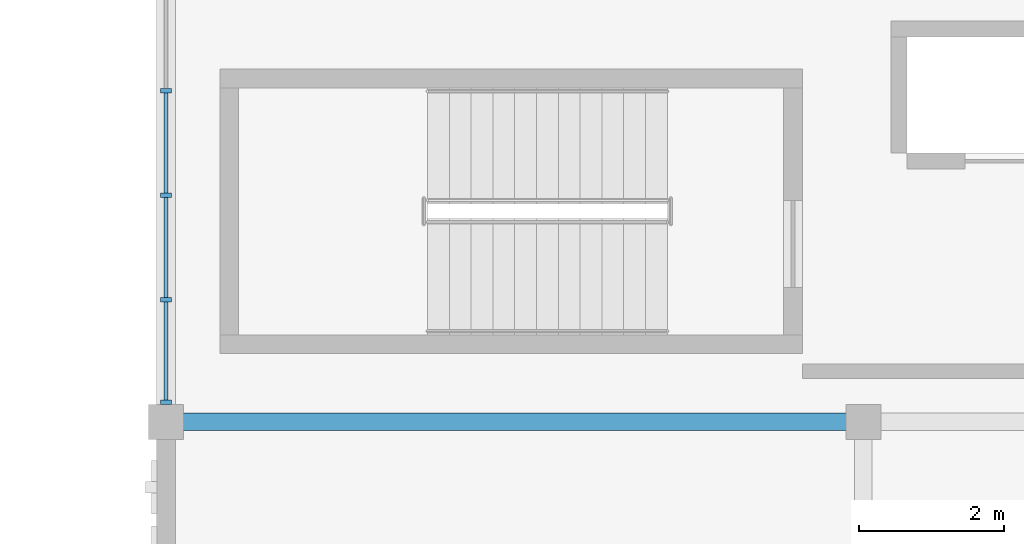
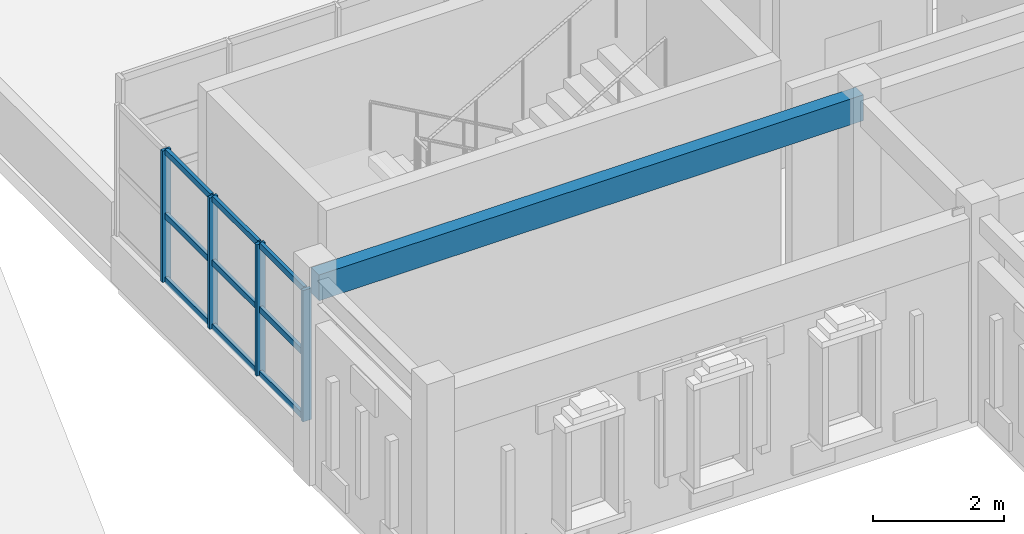
# One storey, part 23 of 79: 13 members, 1 beam, 1 element without a shape of its own.
"""IFC4 building model written with IfcOpenShell, lengths in metres."""

from ifc_helpers import new_model, si_unit, direction, frame, origin, origin_2d, place, context, subcontext, project, spatial, rectangle, extrude, material, material_profile, profile_set, type_object, element, aggregate, save


model = new_model("IFC4")

# Units and contexts
model_context = context("Model", 3, precision=1e-05, world=origin(), true_north=direction((0.0, 1.0)))
body_context = subcontext(model_context, "Body", "Model", "MODEL_VIEW")
ifc_project = project(units=[si_unit("LENGTHUNIT", "METRE"), si_unit("AREAUNIT", "SQUARE_METRE"), si_unit("VOLUMEUNIT", "CUBIC_METRE"), si_unit("PLANEANGLEUNIT", "RADIAN"), si_unit("MASSUNIT", "GRAM", prefix="KILO")], contexts=[model_context])

# Site, building, storey
site_placement = place(None, origin())
site = spatial("IfcSite", under=ifc_project, at=site_placement, CompositionType="ELEMENT")
building_placement = place(site_placement, origin())
building = spatial("IfcBuilding", under=site, at=building_placement, Name="Nzembalo Square Collegiate School", CompositionType="ELEMENT")
storey_placement = place(building_placement, frame((0.0, 0.0, 9.52001953125)))
storey = spatial("IfcBuildingStorey", under=building, at=storey_placement, Name="L02", CompositionType="ELEMENT", Elevation=9.52001953125)

# Beam
ifc_material_1 = material(Name="Glulam GL28h", Category="wood")
ifc_material_profile_1 = material_profile(ifc_material_1, rectangle(XDim=0.239990234375, YDim=0.47998046875, at=origin_2d()), Name="GL28h 240x480")
ifc_profile_set_1 = profile_set([ifc_material_profile_1], Name="Glulam GL28h")
beam_type = type_object("IfcBeamType", Name="SP02", PredefinedType="SPANDREL", material=ifc_profile_set_1)
beam_placement = place(storey_placement, frame((130.800048828125, 82.800048828125, 3.544921875), z_axis=(1.0, 0.0, 0.0), x_axis=(0.0, 1.0, 0.0)))
element("IfcBeam", 1, at=beam_placement, inside=storey, type_object=beam_type, Name="Beam SP02 L02", PredefinedType="SPANDREL", context=body_context, shape_type="SweptSolid", body=[
    extrude(rectangle(XDim=0.239990234375, YDim=0.47998046875, at=origin_2d()), origin(), (0.0, 0.0, 1.0), 9.599853515625),
])

# Curtain wall, members
ifc_material_2 = material(Name="Aluminium 6060-T66", Category="aluminium")
curtain_wall_type = type_object("IfcCurtainWallType", Name="CW-04", PredefinedType="USERDEFINED", material=ifc_material_2)
curtain_wall_placement = place(storey_placement, origin())
curtain_wall = element("IfcCurtainWall", 2, at=curtain_wall_placement, inside=storey, type_object=curtain_wall_type, Name="Curtain wall CW-04 cw:L02:099", ObjectType="UNITISED", PredefinedType="USERDEFINED")
ifc_material_3 = material(Name="Aluminium 6060-T66", Category="aluminium")
ifc_material_profile_2 = material_profile(ifc_material_3, rectangle(XDim=0.06005859375, YDim=0.14990234375, at=origin_2d()), Name="ALU M60x150")
ifc_profile_set_2 = profile_set([ifc_material_profile_2], Name="Aluminium 6060-T66")
member_type_1 = type_object("IfcMemberType", Name="ML02", PredefinedType="MULLION", material=ifc_profile_set_2)
member_1_placement = place(storey_placement, frame((130.800048828125, 83.072021484375, 0.85009765625), z_axis=(0.0, 0.0, 1.0), x_axis=(0.0, 1.0, 0.0)))
member_1 = element("IfcMember", 3, at=member_1_placement, type_object=member_type_1, Name="ML02 mullion 1", PredefinedType="MULLION", context=body_context, shape_type="SweptSolid", body=[
    extrude(rectangle(XDim=0.06005859375, YDim=0.14990234375, at=origin_2d()), origin(), (0.0, 0.0, 1.0), 2.448974609375),
])
member_2_placement = place(storey_placement, frame((130.800048828125, 84.4814453125, 0.85009765625), z_axis=(0.0, 0.0, 1.0), x_axis=(0.0, 1.0, 0.0)))
member_2 = element("IfcMember", 4, at=member_2_placement, type_object=member_type_1, Name="ML02 mullion 2", PredefinedType="MULLION", context=body_context, shape_type="SweptSolid", body=[
    extrude(rectangle(XDim=0.06005859375, YDim=0.14990234375, at=origin_2d()), origin(), (0.0, 0.0, 1.0), 2.448974609375),
])
member_3_placement = place(storey_placement, frame((130.800048828125, 85.9208984375, 0.85009765625), z_axis=(0.0, 0.0, 1.0), x_axis=(0.0, 1.0, 0.0)))
member_3 = element("IfcMember", 5, at=member_3_placement, type_object=member_type_1, Name="ML02 mullion 3", PredefinedType="MULLION", context=body_context, shape_type="SweptSolid", body=[
    extrude(rectangle(XDim=0.06005859375, YDim=0.14990234375, at=origin_2d()), origin(), (0.0, 0.0, 1.0), 2.448974609375),
])
member_4_placement = place(storey_placement, frame((130.800048828125, 87.360595703125, 0.85009765625), z_axis=(0.0, 0.0, 1.0), x_axis=(0.0, 1.0, 0.0)))
member_4 = element("IfcMember", 6, at=member_4_placement, type_object=member_type_1, Name="ML02 mullion 4", PredefinedType="MULLION", context=body_context, shape_type="SweptSolid", body=[
    extrude(rectangle(XDim=0.06005859375, YDim=0.14990234375, at=origin_2d()), origin(), (0.0, 0.0, 1.0), 2.448974609375),
])
ifc_material_4 = material(Name="Aluminium 6060-T66", Category="aluminium")
ifc_material_profile_3 = material_profile(ifc_material_4, rectangle(XDim=0.06005859375, YDim=0.110107421875, at=origin_2d()), Name="ALU T60x110")
ifc_profile_set_3 = profile_set([ifc_material_profile_3], Name="Aluminium 6060-T66")
member_type_2 = type_object("IfcMemberType", Name="TR02", PredefinedType="USERDEFINED", material=ifc_profile_set_3)
member_5_placement = place(storey_placement, frame((130.800048828125, 83.10205078125, 0.8798828125), z_axis=(0.0, 1.0, 0.0), x_axis=(-1.0, 0.0, 0.0)))
member_5 = element("IfcMember", 7, at=member_5_placement, type_object=member_type_2, Name="TR02 transom 1-1", ObjectType="TRANSOM", PredefinedType="USERDEFINED", context=body_context, shape_type="SweptSolid", body=[
    extrude(rectangle(XDim=0.06005859375, YDim=0.110107421875, at=origin_2d()), origin(), (0.0, 0.0, 1.0), 1.349365234375),
])
member_6_placement = place(storey_placement, frame((130.800048828125, 84.511474609375, 0.8798828125), z_axis=(0.0, 1.0, 0.0), x_axis=(-1.0, 0.0, 0.0)))
member_6 = element("IfcMember", 8, at=member_6_placement, type_object=member_type_2, Name="TR02 transom 1-2", ObjectType="TRANSOM", PredefinedType="USERDEFINED", context=body_context, shape_type="SweptSolid", body=[
    extrude(rectangle(XDim=0.06005859375, YDim=0.110107421875, at=origin_2d()), origin(), (0.0, 0.0, 1.0), 1.379638671875),
])
member_7_placement = place(storey_placement, frame((130.800048828125, 85.950927734375, 0.8798828125), z_axis=(0.0, 1.0, 0.0), x_axis=(-1.0, 0.0, 0.0)))
member_7 = element("IfcMember", 9, at=member_7_placement, type_object=member_type_2, Name="TR02 transom 1-3", ObjectType="TRANSOM", PredefinedType="USERDEFINED", context=body_context, shape_type="SweptSolid", body=[
    extrude(rectangle(XDim=0.06005859375, YDim=0.110107421875, at=origin_2d()), origin(), (0.0, 0.0, 1.0), 1.379638671875),
])
member_8_placement = place(storey_placement, frame((130.800048828125, 83.10205078125, 2.074462890625), z_axis=(0.0, 1.0, 0.0), x_axis=(-1.0, 0.0, 0.0)))
member_8 = element("IfcMember", 10, at=member_8_placement, type_object=member_type_2, Name="TR02 transom 2-1", ObjectType="TRANSOM", PredefinedType="USERDEFINED", context=body_context, shape_type="SweptSolid", body=[
    extrude(rectangle(XDim=0.06005859375, YDim=0.110107421875, at=origin_2d()), origin(), (0.0, 0.0, 1.0), 1.349365234375),
])
member_9_placement = place(storey_placement, frame((130.800048828125, 84.511474609375, 2.074462890625), z_axis=(0.0, 1.0, 0.0), x_axis=(-1.0, 0.0, 0.0)))
member_9 = element("IfcMember", 11, at=member_9_placement, type_object=member_type_2, Name="TR02 transom 2-2", ObjectType="TRANSOM", PredefinedType="USERDEFINED", context=body_context, shape_type="SweptSolid", body=[
    extrude(rectangle(XDim=0.06005859375, YDim=0.110107421875, at=origin_2d()), origin(), (0.0, 0.0, 1.0), 1.379638671875),
])
member_10_placement = place(storey_placement, frame((130.800048828125, 85.950927734375, 2.074462890625), z_axis=(0.0, 1.0, 0.0), x_axis=(-1.0, 0.0, 0.0)))
member_10 = element("IfcMember", 12, at=member_10_placement, type_object=member_type_2, Name="TR02 transom 2-3", ObjectType="TRANSOM", PredefinedType="USERDEFINED", context=body_context, shape_type="SweptSolid", body=[
    extrude(rectangle(XDim=0.06005859375, YDim=0.110107421875, at=origin_2d()), origin(), (0.0, 0.0, 1.0), 1.379638671875),
])
member_11_placement = place(storey_placement, frame((130.800048828125, 83.10205078125, 3.26904296875), z_axis=(0.0, 1.0, 0.0), x_axis=(-1.0, 0.0, 0.0)))
member_11 = element("IfcMember", 13, at=member_11_placement, type_object=member_type_2, Name="TR02 transom 3-1", ObjectType="TRANSOM", PredefinedType="USERDEFINED", context=body_context, shape_type="SweptSolid", body=[
    extrude(rectangle(XDim=0.06005859375, YDim=0.110107421875, at=origin_2d()), origin(), (0.0, 0.0, 1.0), 1.349365234375),
])
member_12_placement = place(storey_placement, frame((130.800048828125, 84.511474609375, 3.26904296875), z_axis=(0.0, 1.0, 0.0), x_axis=(-1.0, 0.0, 0.0)))
member_12 = element("IfcMember", 14, at=member_12_placement, type_object=member_type_2, Name="TR02 transom 3-2", ObjectType="TRANSOM", PredefinedType="USERDEFINED", context=body_context, shape_type="SweptSolid", body=[
    extrude(rectangle(XDim=0.06005859375, YDim=0.110107421875, at=origin_2d()), origin(), (0.0, 0.0, 1.0), 1.379638671875),
])
member_13_placement = place(storey_placement, frame((130.800048828125, 85.950927734375, 3.26904296875), z_axis=(0.0, 1.0, 0.0), x_axis=(-1.0, 0.0, 0.0)))
member_13 = element("IfcMember", 15, at=member_13_placement, type_object=member_type_2, Name="TR02 transom 3-3", ObjectType="TRANSOM", PredefinedType="USERDEFINED", context=body_context, shape_type="SweptSolid", body=[
    extrude(rectangle(XDim=0.06005859375, YDim=0.110107421875, at=origin_2d()), origin(), (0.0, 0.0, 1.0), 1.379638671875),
])
aggregate(curtain_wall, [member_1, member_2, member_3, member_4, member_5, member_6, member_7, member_8, member_9, member_10, member_11, member_12, member_13])

save(model, "model.ifc")
